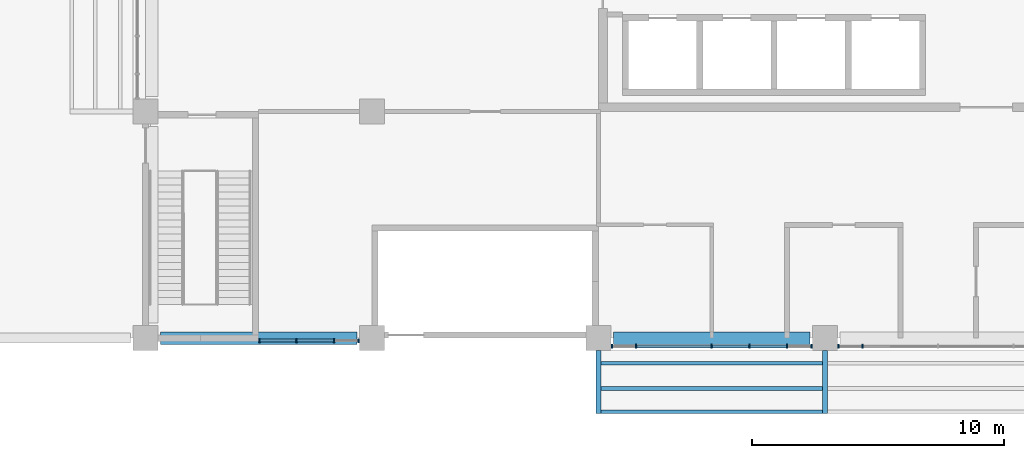
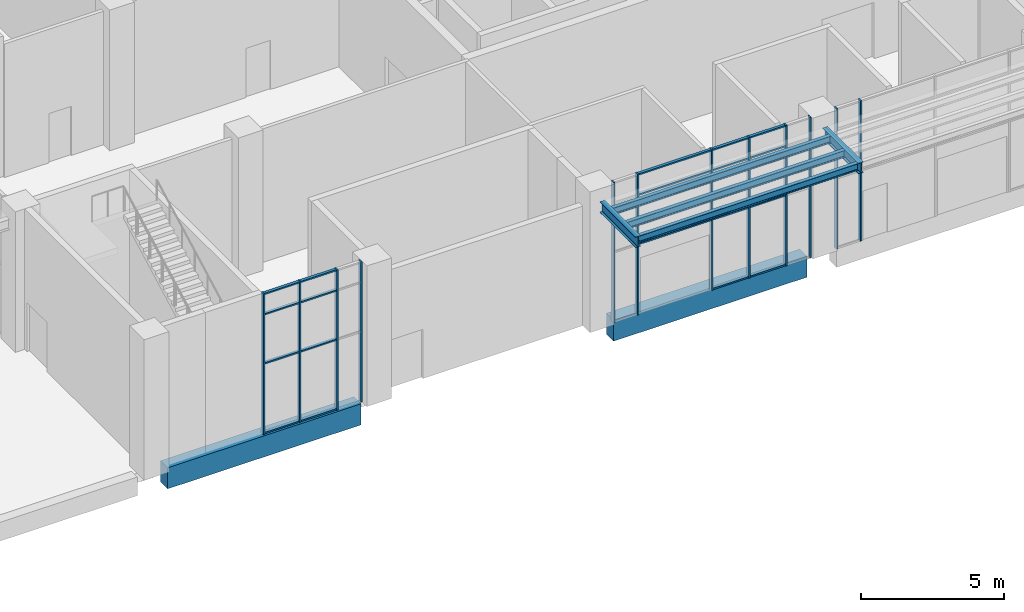
# One storey, part 25 of 86: 31 members, 7 beams, 3 elements without a shape of their own.
"""IFC4 building model written with IfcOpenShell, lengths in metres."""

from ifc_helpers import new_model, si_unit, direction, frame, origin, origin_2d, place, context, subcontext, project, spatial, rectangle, i_section, extrude, material, layer, layer_set, material_profile, profile_set, type_object, element, aggregate, save


model = new_model("IFC4")

# Units and contexts
model_context = context("Model", 3, precision=1e-05, world=origin(), true_north=direction((0.0, 1.0)))
body_context = subcontext(model_context, "Body", "Model", "MODEL_VIEW")
ifc_project = project(units=[si_unit("LENGTHUNIT", "METRE"), si_unit("AREAUNIT", "SQUARE_METRE"), si_unit("VOLUMEUNIT", "CUBIC_METRE"), si_unit("PLANEANGLEUNIT", "RADIAN"), si_unit("MASSUNIT", "GRAM", prefix="KILO")], contexts=[model_context])

# Site, building, storey
site_placement = place(None, origin())
site = spatial("IfcSite", under=ifc_project, at=site_placement, CompositionType="ELEMENT")
building_placement = place(site_placement, origin())
building = spatial("IfcBuilding", under=site, at=building_placement, Name="Guidao Yard Department Store", CompositionType="ELEMENT")
storey_placement = place(building_placement, origin())
storey = spatial("IfcBuildingStorey", under=building, at=storey_placement, Name="L00", CompositionType="ELEMENT", Elevation=0.0)

# Beams
ifc_material_1 = material(Name="Steel Q355B", Category="steel")
ifc_material_profile_1 = material_profile(ifc_material_1, i_section(OverallWidth=0.14990234375, OverallDepth=0.300048828125, WebThickness=0.006591796875, FlangeThickness=0.009033203125, FilletRadius=0.012939453125, at=origin_2d()), Name="HN 300x150x6.5x9")
ifc_profile_set_1 = profile_set([ifc_material_profile_1], Name="Steel Q355B")
beam_type_1 = type_object("IfcBeamType", Name="Canopy beam HN 300x150x6.5x9", PredefinedType="BEAM", material=ifc_profile_set_1)
beam_placement = place(storey_placement, frame((144.10009765625, -2.925048828125, 5.300048828125), z_axis=(1.0, 0.0, 0.0), x_axis=(0.0, 1.0, 0.0)))
element("IfcBeam", 1, at=beam_placement, inside=storey, type_object=beam_type_1, Name="Canopy edge beam OS-1", PredefinedType="BEAM", context=body_context, shape_type="SweptSolid", body=[
    extrude(i_section(OverallWidth=0.14990234375, OverallDepth=0.300048828125, WebThickness=0.006591796875, FlangeThickness=0.009033203125, FilletRadius=0.012939453125, at=origin_2d()), origin(), (0.0, 0.0, 1.0), 8.7998046875),
])
for number, where, z_axis, x_axis, name in (
    (2, (144.10009765625, -1.0, 5.300048828125), (1.0, 0.0, 0.0), (0.0, 1.0, 0.0), "Canopy joist OS-1.1"),
    (3, (144.10009765625, -2.0, 5.300048828125), (1.0, 0.0, 0.0), (0.0, 1.0, 0.0), "Canopy joist OS-1.2"),
):
    element("IfcBeam", number, at=place(storey_placement, frame(where, z_axis=z_axis, x_axis=x_axis)), inside=storey, type_object=beam_type_1, Name=name, PredefinedType="JOIST", context=body_context, shape_type="SweptSolid", body=[
        extrude(i_section(OverallWidth=0.14990234375, OverallDepth=0.300048828125, WebThickness=0.006591796875, FlangeThickness=0.009033203125, FilletRadius=0.012939453125, at=origin_2d()), origin(), (0.0, 0.0, 1.0), 8.7998046875),
    ])
ifc_material_2 = material(Name="Steel Q355B", Category="steel")
ifc_material_profile_2 = material_profile(ifc_material_2, i_section(OverallWidth=0.199951171875, OverallDepth=0.449951171875, WebThickness=0.009033203125, FlangeThickness=0.013916015625, FilletRadius=0.012939453125, at=origin_2d()), Name="HN 450x200x9x14")
ifc_profile_set_2 = profile_set([ifc_material_profile_2], Name="Steel Q355B")
beam_type_2 = type_object("IfcBeamType", Name="HN 450x200x9x14", PredefinedType="BEAM", material=ifc_profile_set_2)
for number, where, z_axis, x_axis, name in (
    (4, (144.0, -0.5, 5.22509765625), (0.0, -1.0, 0.0), (1.0, 0.0, 0.0), "Canopy beam OS-1"),
    (5, (153.0, -0.5, 5.22509765625), (0.0, -1.0, 0.0), (1.0, 0.0, 0.0), "Canopy beam OS-2"),
):
    element("IfcBeam", number, at=place(storey_placement, frame(where, z_axis=z_axis, x_axis=x_axis)), inside=storey, type_object=beam_type_2, Name=name, PredefinedType="BEAM", context=body_context, shape_type="SweptSolid", body=[
        extrude(i_section(OverallWidth=0.199951171875, OverallDepth=0.449951171875, WebThickness=0.009033203125, FlangeThickness=0.013916015625, FilletRadius=0.012939453125, at=origin_2d()), origin(), (0.0, 0.0, 1.0), 2.5),
    ])

# Curtain wall, members
ifc_material_3 = material(Name="Aluminium and glass", Category="aluminium")
ifc_layer = layer(ifc_material_3, 0.159912109375)
ifc_layer_set = layer_set([ifc_layer], Name="Unitised curtain wall CW4 1500 module")
curtain_wall_type = type_object("IfcCurtainWallType", Name="Unitised curtain wall CW4 1500 module", PredefinedType="NOTDEFINED", material=ifc_layer_set)
curtain_wall_1_placement = place(storey_placement, origin())
curtain_wall_1 = element("IfcCurtainWall", 6, at=curtain_wall_1_placement, inside=storey, type_object=curtain_wall_type, Name="Unitised curtain wall", PredefinedType="NOTDEFINED")
ifc_material_4 = material(Name="Aluminium 6063-T5", Category="aluminium")
ifc_material_profile_3 = material_profile(ifc_material_4, rectangle(XDim=0.06005859375, YDim=0.159912109375, at=origin_2d()), Name="Mullion M1 60 x 160 aluminium pressure plate")
ifc_profile_set_3 = profile_set([ifc_material_profile_3], Name="Aluminium 6063-T5")
member_type_1 = type_object("IfcMemberType", Name="Mullion M1 60 x 160 aluminium pressure plate", PredefinedType="MULLION", material=ifc_profile_set_3)
member_1_placement = place(storey_placement, frame((130.530029296875, -0.10009765625, 0.0), z_axis=(0.0, 0.0, 1.0), x_axis=(-1.0, 0.0, 0.0)))
member_1 = element("IfcMember", 7, at=member_1_placement, type_object=member_type_1, Name="CW-OW-L00-01 mullion 1", PredefinedType="MULLION", context=body_context, shape_type="SweptSolid", body=[
    extrude(rectangle(XDim=0.06005859375, YDim=0.159912109375, at=origin_2d()), origin(), (0.0, 0.0, 1.0), 6.0),
])
member_2_placement = place(storey_placement, frame((132.0, -0.10009765625, 0.0), z_axis=(0.0, 0.0, 1.0), x_axis=(-1.0, 0.0, 0.0)))
member_2 = element("IfcMember", 8, at=member_2_placement, type_object=member_type_1, Name="CW-OW-L00-01 mullion 2", PredefinedType="MULLION", context=body_context, shape_type="SweptSolid", body=[
    extrude(rectangle(XDim=0.06005859375, YDim=0.159912109375, at=origin_2d()), origin(), (0.0, 0.0, 1.0), 6.0),
])
member_3_placement = place(storey_placement, frame((133.5, -0.10009765625, 0.0), z_axis=(0.0, 0.0, 1.0), x_axis=(-1.0, 0.0, 0.0)))
member_3 = element("IfcMember", 9, at=member_3_placement, type_object=member_type_1, Name="CW-OW-L00-01 mullion 3", PredefinedType="MULLION", context=body_context, shape_type="SweptSolid", body=[
    extrude(rectangle(XDim=0.06005859375, YDim=0.159912109375, at=origin_2d()), origin(), (0.0, 0.0, 1.0), 6.0),
])
member_4_placement = place(storey_placement, frame((134.469970703125, -0.10009765625, 0.0), z_axis=(0.0, 0.0, 1.0), x_axis=(-1.0, 0.0, 0.0)))
member_4 = element("IfcMember", 10, at=member_4_placement, type_object=member_type_1, Name="CW-OW-L00-01 mullion 4", PredefinedType="MULLION", context=body_context, shape_type="SweptSolid", body=[
    extrude(rectangle(XDim=0.06005859375, YDim=0.159912109375, at=origin_2d()), origin(), (0.0, 0.0, 1.0), 6.0),
])

curtain_wall_2_placement = place(storey_placement, origin())
curtain_wall_2 = element("IfcCurtainWall", 11, at=curtain_wall_2_placement, inside=storey, type_object=curtain_wall_type, Name="Unitised curtain wall", PredefinedType="NOTDEFINED")
member_5_placement = place(storey_placement, frame((144.530029296875, -0.330078125, 0.0), z_axis=(0.0, 0.0, 1.0), x_axis=(-1.0, 0.0, 0.0)))
member_5 = element("IfcMember", 12, at=member_5_placement, type_object=member_type_1, Name="CW-OW-L00-02 mullion 1", PredefinedType="MULLION", context=body_context, shape_type="SweptSolid", body=[
    extrude(rectangle(XDim=0.06005859375, YDim=0.159912109375, at=origin_2d()), origin(), (0.0, 0.0, 1.0), 6.0),
])
member_6_placement = place(storey_placement, frame((145.5, -0.330078125, 0.0), z_axis=(0.0, 0.0, 1.0), x_axis=(-1.0, 0.0, 0.0)))
member_6 = element("IfcMember", 13, at=member_6_placement, type_object=member_type_1, Name="CW-OW-L00-02 mullion 2", PredefinedType="MULLION", context=body_context, shape_type="SweptSolid", body=[
    extrude(rectangle(XDim=0.06005859375, YDim=0.159912109375, at=origin_2d()), origin(), (0.0, 0.0, 1.0), 6.0),
])
member_7_placement = place(storey_placement, frame((148.5, -0.330078125, 0.0), z_axis=(0.0, 0.0, 1.0), x_axis=(-1.0, 0.0, 0.0)))
member_7 = element("IfcMember", 14, at=member_7_placement, type_object=member_type_1, Name="CW-OW-L00-02 mullion 3", PredefinedType="MULLION", context=body_context, shape_type="SweptSolid", body=[
    extrude(rectangle(XDim=0.06005859375, YDim=0.159912109375, at=origin_2d()), origin(), (0.0, 0.0, 1.0), 6.0),
])
member_8_placement = place(storey_placement, frame((150.0, -0.330078125, 0.0), z_axis=(0.0, 0.0, 1.0), x_axis=(-1.0, 0.0, 0.0)))
member_8 = element("IfcMember", 15, at=member_8_placement, type_object=member_type_1, Name="CW-OW-L00-02 mullion 4", PredefinedType="MULLION", context=body_context, shape_type="SweptSolid", body=[
    extrude(rectangle(XDim=0.06005859375, YDim=0.159912109375, at=origin_2d()), origin(), (0.0, 0.0, 1.0), 6.0),
])
member_9_placement = place(storey_placement, frame((151.5, -0.330078125, 0.0), z_axis=(0.0, 0.0, 1.0), x_axis=(-1.0, 0.0, 0.0)))
member_9 = element("IfcMember", 16, at=member_9_placement, type_object=member_type_1, Name="CW-OW-L00-02 mullion 5", PredefinedType="MULLION", context=body_context, shape_type="SweptSolid", body=[
    extrude(rectangle(XDim=0.06005859375, YDim=0.159912109375, at=origin_2d()), origin(), (0.0, 0.0, 1.0), 6.0),
])
member_10_placement = place(storey_placement, frame((152.469970703125, -0.330078125, 0.0), z_axis=(0.0, 0.0, 1.0), x_axis=(-1.0, 0.0, 0.0)))
member_10 = element("IfcMember", 17, at=member_10_placement, type_object=member_type_1, Name="CW-OW-L00-02 mullion 6", PredefinedType="MULLION", context=body_context, shape_type="SweptSolid", body=[
    extrude(rectangle(XDim=0.06005859375, YDim=0.159912109375, at=origin_2d()), origin(), (0.0, 0.0, 1.0), 6.0),
])

curtain_wall_3_placement = place(storey_placement, origin())
curtain_wall_3 = element("IfcCurtainWall", 18, at=curtain_wall_3_placement, inside=storey, type_object=curtain_wall_type, Name="Unitised curtain wall", PredefinedType="NOTDEFINED")
member_11_placement = place(storey_placement, frame((153.530029296875, -0.330078125, 0.0), z_axis=(0.0, 0.0, 1.0), x_axis=(-1.0, 0.0, 0.0)))
member_11 = element("IfcMember", 19, at=member_11_placement, type_object=member_type_1, Name="CW-OW-L00-03 mullion 1", PredefinedType="MULLION", context=body_context, shape_type="SweptSolid", body=[
    extrude(rectangle(XDim=0.06005859375, YDim=0.159912109375, at=origin_2d()), origin(), (0.0, 0.0, 1.0), 6.0),
])
member_12_placement = place(storey_placement, frame((154.5, -0.330078125, 0.0), z_axis=(0.0, 0.0, 1.0), x_axis=(-1.0, 0.0, 0.0)))
member_12 = element("IfcMember", 20, at=member_12_placement, type_object=member_type_1, Name="CW-OW-L00-03 mullion 2", PredefinedType="MULLION", context=body_context, shape_type="SweptSolid", body=[
    extrude(rectangle(XDim=0.06005859375, YDim=0.159912109375, at=origin_2d()), origin(), (0.0, 0.0, 1.0), 6.0),
])
aggregate(curtain_wall_3, [member_11, member_12])

# Beams
ifc_material_5 = material(Name="Concrete C40", Category="concrete")
ifc_material_profile_4 = material_profile(ifc_material_5, rectangle(XDim=0.5, YDim=0.89990234375, at=origin_2d()), Name="Spandrel beam 500 x 900 C40")
ifc_profile_set_4 = profile_set([ifc_material_profile_4], Name="Concrete C40")
beam_type_3 = type_object("IfcBeamType", Name="Spandrel beam 500 x 900 C40", PredefinedType="SPANDREL", material=ifc_profile_set_4)
for number, where, z_axis, x_axis, name in (
    (21, (144.60009765625, 0.0, -0.449951171875), (1.0, 0.0, 0.0), (0.0, 1.0, 0.0), "Beam FB08"),
    (22, (126.60009765625, 0.0, -0.449951171875), (1.0, 0.0, 0.0), (0.0, 1.0, 0.0), "Beam FB11"),
):
    element("IfcBeam", number, at=place(storey_placement, frame(where, z_axis=z_axis, x_axis=x_axis)), inside=storey, type_object=beam_type_3, Name=name, PredefinedType="SPANDREL", context=body_context, shape_type="SweptSolid", body=[
        extrude(rectangle(XDim=0.5, YDim=0.89990234375, at=origin_2d()), origin(), (0.0, 0.0, 1.0), 7.7998046875),
    ])

# Member
ifc_material_6 = material(Name="Aluminium 6063-T5", Category="aluminium")
ifc_material_profile_5 = material_profile(ifc_material_6, rectangle(XDim=0.1201171875, YDim=0.06005859375, at=origin_2d()), Name="Transom T1 60 x 120 aluminium pressure plate")
ifc_profile_set_5 = profile_set([ifc_material_profile_5], Name="Aluminium 6063-T5")
member_type_2 = type_object("IfcMemberType", Name="Transom T1 60 x 120 aluminium pressure plate", PredefinedType="USERDEFINED", material=ifc_profile_set_5)
member_13_placement = place(storey_placement, frame((131.969970703125, -0.10009765625, 0.030029296875), z_axis=(-1.0, 0.0, 0.0), x_axis=(0.0, -1.0, 0.0)))
member_13 = element("IfcMember", 23, at=member_13_placement, type_object=member_type_2, Name="CW-OW-L00-01 transom 1.1", ObjectType="TRANSOM", PredefinedType="USERDEFINED", context=body_context, shape_type="SweptSolid", body=[
    extrude(rectangle(XDim=0.1201171875, YDim=0.06005859375, at=origin_2d()), origin(), (0.0, 0.0, 1.0), 1.409912109375),
])

member_14_placement = place(storey_placement, frame((131.969970703125, -0.10009765625, 3.0), z_axis=(-1.0, 0.0, 0.0), x_axis=(0.0, -1.0, 0.0)))
member_14 = element("IfcMember", 24, at=member_14_placement, type_object=member_type_2, Name="CW-OW-L00-01 transom 1.2", ObjectType="TRANSOM", PredefinedType="USERDEFINED", context=body_context, shape_type="SweptSolid", body=[
    extrude(rectangle(XDim=0.1201171875, YDim=0.06005859375, at=origin_2d()), origin(), (0.0, 0.0, 1.0), 1.409912109375),
])

member_15_placement = place(storey_placement, frame((131.969970703125, -0.10009765625, 5.10009765625), z_axis=(-1.0, 0.0, 0.0), x_axis=(0.0, -1.0, 0.0)))
member_15 = element("IfcMember", 25, at=member_15_placement, type_object=member_type_2, Name="CW-OW-L00-01 transom 1.3", ObjectType="TRANSOM", PredefinedType="USERDEFINED", context=body_context, shape_type="SweptSolid", body=[
    extrude(rectangle(XDim=0.1201171875, YDim=0.06005859375, at=origin_2d()), origin(), (0.0, 0.0, 1.0), 1.409912109375),
])

member_16_placement = place(storey_placement, frame((131.969970703125, -0.10009765625, 5.969970703125), z_axis=(-1.0, 0.0, 0.0), x_axis=(0.0, -1.0, 0.0)))
member_16 = element("IfcMember", 26, at=member_16_placement, type_object=member_type_2, Name="CW-OW-L00-01 transom 1.4", ObjectType="TRANSOM", PredefinedType="USERDEFINED", context=body_context, shape_type="SweptSolid", body=[
    extrude(rectangle(XDim=0.1201171875, YDim=0.06005859375, at=origin_2d()), origin(), (0.0, 0.0, 1.0), 1.409912109375),
])

member_17_placement = place(storey_placement, frame((133.469970703125, -0.10009765625, 0.030029296875), z_axis=(-1.0, 0.0, 0.0), x_axis=(0.0, -1.0, 0.0)))
member_17 = element("IfcMember", 27, at=member_17_placement, type_object=member_type_2, Name="CW-OW-L00-01 transom 2.1", ObjectType="TRANSOM", PredefinedType="USERDEFINED", context=body_context, shape_type="SweptSolid", body=[
    extrude(rectangle(XDim=0.1201171875, YDim=0.06005859375, at=origin_2d()), origin(), (0.0, 0.0, 1.0), 1.43994140625),
])

member_18_placement = place(storey_placement, frame((133.469970703125, -0.10009765625, 3.0), z_axis=(-1.0, 0.0, 0.0), x_axis=(0.0, -1.0, 0.0)))
member_18 = element("IfcMember", 28, at=member_18_placement, type_object=member_type_2, Name="CW-OW-L00-01 transom 2.2", ObjectType="TRANSOM", PredefinedType="USERDEFINED", context=body_context, shape_type="SweptSolid", body=[
    extrude(rectangle(XDim=0.1201171875, YDim=0.06005859375, at=origin_2d()), origin(), (0.0, 0.0, 1.0), 1.43994140625),
])

member_19_placement = place(storey_placement, frame((133.469970703125, -0.10009765625, 5.10009765625), z_axis=(-1.0, 0.0, 0.0), x_axis=(0.0, -1.0, 0.0)))
member_19 = element("IfcMember", 29, at=member_19_placement, type_object=member_type_2, Name="CW-OW-L00-01 transom 2.3", ObjectType="TRANSOM", PredefinedType="USERDEFINED", context=body_context, shape_type="SweptSolid", body=[
    extrude(rectangle(XDim=0.1201171875, YDim=0.06005859375, at=origin_2d()), origin(), (0.0, 0.0, 1.0), 1.43994140625),
])

member_20_placement = place(storey_placement, frame((133.469970703125, -0.10009765625, 5.969970703125), z_axis=(-1.0, 0.0, 0.0), x_axis=(0.0, -1.0, 0.0)))
member_20 = element("IfcMember", 30, at=member_20_placement, type_object=member_type_2, Name="CW-OW-L00-01 transom 2.4", ObjectType="TRANSOM", PredefinedType="USERDEFINED", context=body_context, shape_type="SweptSolid", body=[
    extrude(rectangle(XDim=0.1201171875, YDim=0.06005859375, at=origin_2d()), origin(), (0.0, 0.0, 1.0), 1.43994140625),
])

aggregate(curtain_wall_1, [member_1, member_2, member_3, member_4, member_13, member_14, member_15, member_16, member_17, member_18, member_19, member_20])

member_21_placement = place(storey_placement, frame((148.469970703125, -0.330078125, 3.0), z_axis=(-1.0, 0.0, 0.0), x_axis=(0.0, -1.0, 0.0)))
member_21 = element("IfcMember", 31, at=member_21_placement, type_object=member_type_2, Name="CW-OW-L00-02 transom 2.2", ObjectType="TRANSOM", PredefinedType="USERDEFINED", context=body_context, shape_type="SweptSolid", body=[
    extrude(rectangle(XDim=0.1201171875, YDim=0.06005859375, at=origin_2d()), origin(), (0.0, 0.0, 1.0), 2.93994140625),
])

member_22_placement = place(storey_placement, frame((148.469970703125, -0.330078125, 5.10009765625), z_axis=(-1.0, 0.0, 0.0), x_axis=(0.0, -1.0, 0.0)))
member_22 = element("IfcMember", 32, at=member_22_placement, type_object=member_type_2, Name="CW-OW-L00-02 transom 2.3", ObjectType="TRANSOM", PredefinedType="USERDEFINED", context=body_context, shape_type="SweptSolid", body=[
    extrude(rectangle(XDim=0.1201171875, YDim=0.06005859375, at=origin_2d()), origin(), (0.0, 0.0, 1.0), 2.93994140625),
])

member_23_placement = place(storey_placement, frame((148.469970703125, -0.330078125, 5.969970703125), z_axis=(-1.0, 0.0, 0.0), x_axis=(0.0, -1.0, 0.0)))
member_23 = element("IfcMember", 33, at=member_23_placement, type_object=member_type_2, Name="CW-OW-L00-02 transom 2.4", ObjectType="TRANSOM", PredefinedType="USERDEFINED", context=body_context, shape_type="SweptSolid", body=[
    extrude(rectangle(XDim=0.1201171875, YDim=0.06005859375, at=origin_2d()), origin(), (0.0, 0.0, 1.0), 2.93994140625),
])

member_24_placement = place(storey_placement, frame((149.969970703125, -0.330078125, 0.030029296875), z_axis=(-1.0, 0.0, 0.0), x_axis=(0.0, -1.0, 0.0)))
member_24 = element("IfcMember", 34, at=member_24_placement, type_object=member_type_2, Name="CW-OW-L00-02 transom 3.1", ObjectType="TRANSOM", PredefinedType="USERDEFINED", context=body_context, shape_type="SweptSolid", body=[
    extrude(rectangle(XDim=0.1201171875, YDim=0.06005859375, at=origin_2d()), origin(), (0.0, 0.0, 1.0), 1.43994140625),
])

member_25_placement = place(storey_placement, frame((149.969970703125, -0.330078125, 3.0), z_axis=(-1.0, 0.0, 0.0), x_axis=(0.0, -1.0, 0.0)))
member_25 = element("IfcMember", 35, at=member_25_placement, type_object=member_type_2, Name="CW-OW-L00-02 transom 3.2", ObjectType="TRANSOM", PredefinedType="USERDEFINED", context=body_context, shape_type="SweptSolid", body=[
    extrude(rectangle(XDim=0.1201171875, YDim=0.06005859375, at=origin_2d()), origin(), (0.0, 0.0, 1.0), 1.43994140625),
])

member_26_placement = place(storey_placement, frame((149.969970703125, -0.330078125, 5.10009765625), z_axis=(-1.0, 0.0, 0.0), x_axis=(0.0, -1.0, 0.0)))
member_26 = element("IfcMember", 36, at=member_26_placement, type_object=member_type_2, Name="CW-OW-L00-02 transom 3.3", ObjectType="TRANSOM", PredefinedType="USERDEFINED", context=body_context, shape_type="SweptSolid", body=[
    extrude(rectangle(XDim=0.1201171875, YDim=0.06005859375, at=origin_2d()), origin(), (0.0, 0.0, 1.0), 1.43994140625),
])

member_27_placement = place(storey_placement, frame((149.969970703125, -0.330078125, 5.969970703125), z_axis=(-1.0, 0.0, 0.0), x_axis=(0.0, -1.0, 0.0)))
member_27 = element("IfcMember", 37, at=member_27_placement, type_object=member_type_2, Name="CW-OW-L00-02 transom 3.4", ObjectType="TRANSOM", PredefinedType="USERDEFINED", context=body_context, shape_type="SweptSolid", body=[
    extrude(rectangle(XDim=0.1201171875, YDim=0.06005859375, at=origin_2d()), origin(), (0.0, 0.0, 1.0), 1.43994140625),
])

member_28_placement = place(storey_placement, frame((151.469970703125, -0.330078125, 0.030029296875), z_axis=(-1.0, 0.0, 0.0), x_axis=(0.0, -1.0, 0.0)))
member_28 = element("IfcMember", 38, at=member_28_placement, type_object=member_type_2, Name="CW-OW-L00-02 transom 4.1", ObjectType="TRANSOM", PredefinedType="USERDEFINED", context=body_context, shape_type="SweptSolid", body=[
    extrude(rectangle(XDim=0.1201171875, YDim=0.06005859375, at=origin_2d()), origin(), (0.0, 0.0, 1.0), 1.43994140625),
])

member_29_placement = place(storey_placement, frame((151.469970703125, -0.330078125, 3.0), z_axis=(-1.0, 0.0, 0.0), x_axis=(0.0, -1.0, 0.0)))
member_29 = element("IfcMember", 39, at=member_29_placement, type_object=member_type_2, Name="CW-OW-L00-02 transom 4.2", ObjectType="TRANSOM", PredefinedType="USERDEFINED", context=body_context, shape_type="SweptSolid", body=[
    extrude(rectangle(XDim=0.1201171875, YDim=0.06005859375, at=origin_2d()), origin(), (0.0, 0.0, 1.0), 1.43994140625),
])

member_30_placement = place(storey_placement, frame((151.469970703125, -0.330078125, 5.10009765625), z_axis=(-1.0, 0.0, 0.0), x_axis=(0.0, -1.0, 0.0)))
member_30 = element("IfcMember", 40, at=member_30_placement, type_object=member_type_2, Name="CW-OW-L00-02 transom 4.3", ObjectType="TRANSOM", PredefinedType="USERDEFINED", context=body_context, shape_type="SweptSolid", body=[
    extrude(rectangle(XDim=0.1201171875, YDim=0.06005859375, at=origin_2d()), origin(), (0.0, 0.0, 1.0), 1.43994140625),
])

member_31_placement = place(storey_placement, frame((151.469970703125, -0.330078125, 5.969970703125), z_axis=(-1.0, 0.0, 0.0), x_axis=(0.0, -1.0, 0.0)))
member_31 = element("IfcMember", 41, at=member_31_placement, type_object=member_type_2, Name="CW-OW-L00-02 transom 4.4", ObjectType="TRANSOM", PredefinedType="USERDEFINED", context=body_context, shape_type="SweptSolid", body=[
    extrude(rectangle(XDim=0.1201171875, YDim=0.06005859375, at=origin_2d()), origin(), (0.0, 0.0, 1.0), 1.43994140625),
])

aggregate(curtain_wall_2, [member_5, member_6, member_7, member_8, member_9, member_10, member_21, member_22, member_23, member_24, member_25, member_26, member_27, member_28, member_29, member_30, member_31])

save(model, "model.ifc")
